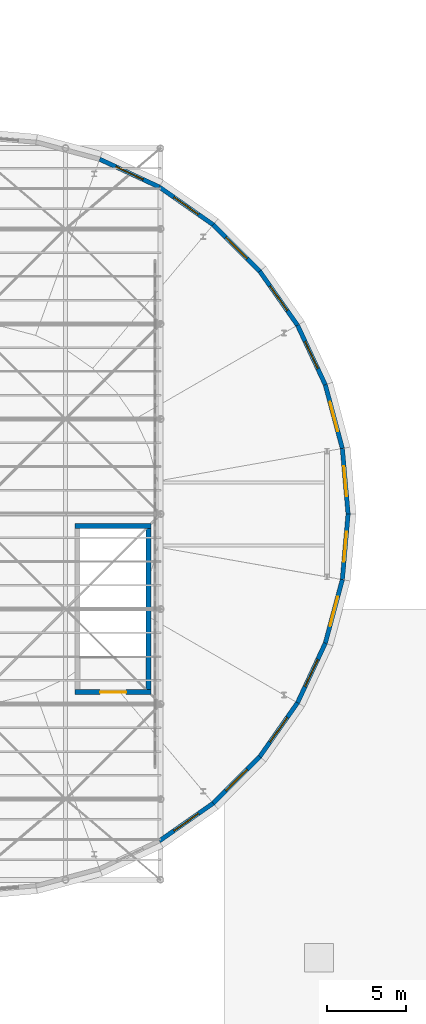
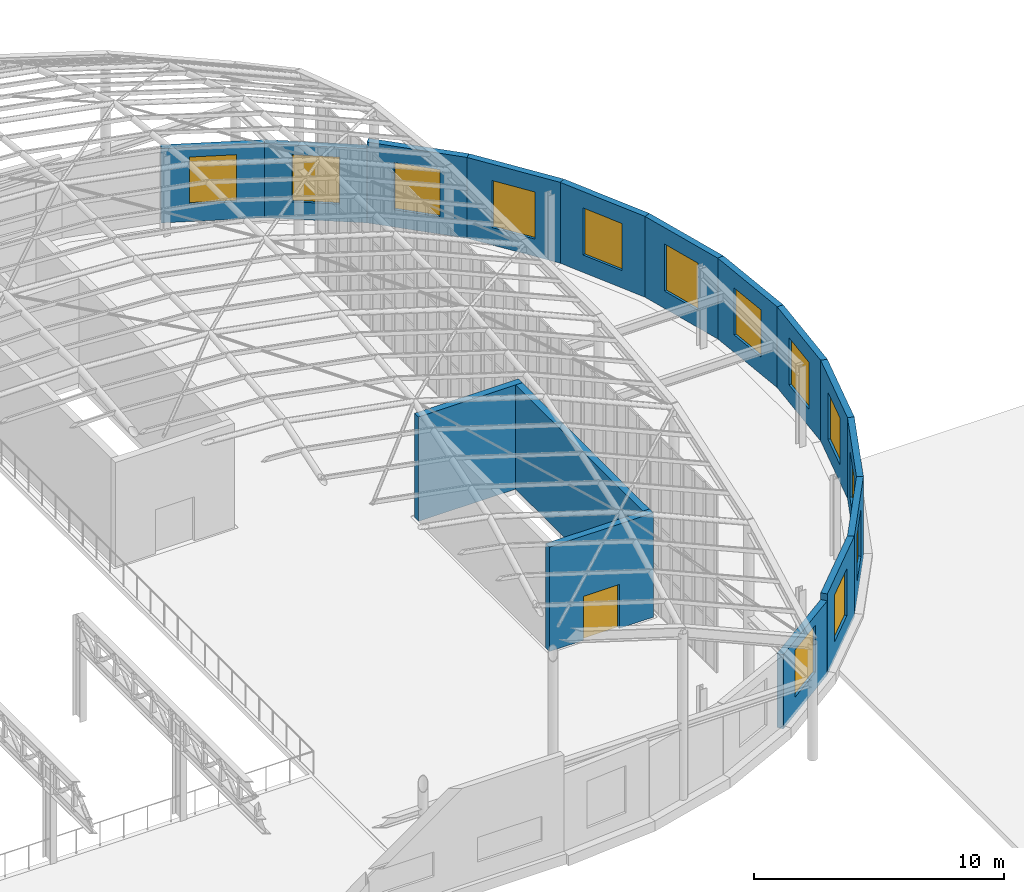
# One storey, part 67 of 75: 16 walls, 13 windows, 1 door, 14 openings.
"""IFC4 building model written with IfcOpenShell, lengths in metres."""

from ifc_helpers import new_model, si_unit, direction, frame, frame_2d, origin, place, context, subcontext, project, spatial, rectangle, extrude, material, layer, layer_set, type_object, element, fill, save


model = new_model("IFC4")

# Units and contexts
model_context = context("Model", 3, precision=1e-05, world=origin(), true_north=direction((0.0, 1.0)))
body_context = subcontext(model_context, "Body", "Model", "MODEL_VIEW")
ifc_project = project(units=[si_unit("LENGTHUNIT", "METRE"), si_unit("AREAUNIT", "SQUARE_METRE"), si_unit("VOLUMEUNIT", "CUBIC_METRE"), si_unit("PLANEANGLEUNIT", "RADIAN"), si_unit("MASSUNIT", "GRAM", prefix="KILO")], contexts=[model_context])

# Site, building, storey
site_placement = place(None, origin())
site = spatial("IfcSite", under=ifc_project, at=site_placement, CompositionType="ELEMENT")
building_placement = place(site_placement, origin())
building = spatial("IfcBuilding", under=site, at=building_placement, Name="Kolvaren Corner Interchange", CompositionType="ELEMENT")
storey_placement = place(building_placement, frame((0.0, 0.0, 10.5)))
storey = spatial("IfcBuildingStorey", under=building, at=storey_placement, Name="L03", CompositionType="ELEMENT", Elevation=10.5)

# Wall, opening, door
ifc_material_1 = material(Name="Concrete C35/45", Category="concrete")
ifc_layer_1 = layer(ifc_material_1, 0.31005859375)
ifc_layer_set_1 = layer_set([ifc_layer_1], Name="Concrete C35/45")
wall_type_1 = type_object("IfcWallType", Name="WL-STAIR-300", PredefinedType="SHEAR", material=ifc_layer_set_1)
wall_1_placement = place(storey_placement, frame((126.60009765625, 36.7548828125, 0.0), z_axis=(0.0, 0.0, 1.0), x_axis=(1.0, 0.0, 0.0)))
wall_1 = element("IfcWall", 1, at=wall_1_placement, inside=storey, type_object=wall_type_1, Name="East Racetrack Concourse Gallery Stair L03 South Enclosure Wall", PredefinedType="SHEAR", context=body_context, shape_type="SweptSolid", body=[
    extrude(rectangle(XDim=4.7998046875, YDim=0.31005859375, at=frame_2d((2.39990234375, 0.0))), origin(), (0.0, 0.0, 1.0), 5.10009765625),
])
opening_1_placement = place(wall_1_placement, frame((1.574951171875, 0.0, 0.0)))
opening_1 = element("IfcOpeningElement", 2, at=opening_1_placement, cuts=wall_1, Name="Opening D-F06", PredefinedType="OPENING", context=body_context, shape_type="SweptSolid", body=[
    extrude(rectangle(XDim=1.64990234375, YDim=2.14990234375, at=frame_2d((0.824951171875, 1.074951171875))), frame((0.0, 0.1650390625, 0.0), z_axis=(0.0, -1.0, 0.0), x_axis=(1.0, 0.0, 0.0)), (0.0, 0.0, 1.0), 0.330078125),
])
ifc_material_2 = material(Name="Powder-coated Fire-rated Steel Sheet", Category="steel")
door_type = type_object("IfcDoorType", Name="DT-FD-1650x2150", OperationType="NOTDEFINED", PredefinedType="DOOR", material=ifc_material_2)
door_placement = place(opening_1_placement, origin())
door = element("IfcDoor", 3, at=door_placement, inside=storey, type_object=door_type, Name="East Racetrack Concourse Gallery Stair L03 Protected Exit Door", OperationType="DOUBLE_DOOR_SINGLE_SWING", OverallHeight=2.14990234375, OverallWidth=1.64990234375, PredefinedType="DOOR", context=body_context, shape_type="SweptSolid", body=[
    extrude(rectangle(XDim=1.64990234375, YDim=2.14990234375, at=frame_2d((0.824951171875, 1.074951171875))), frame((0.0, 0.02490234375, 0.0), z_axis=(0.0, -1.0, 0.0), x_axis=(1.0, 0.0, 0.0)), (0.0, 0.0, 1.0), 0.050048828125),
])
fill(opening_1, door)

# Walls
wall_2_placement = place(storey_placement, frame((126.60009765625, 47.2451171875, 0.0), z_axis=(0.0, 0.0, 1.0), x_axis=(1.0, 0.0, 0.0)))
element("IfcWall", 4, at=wall_2_placement, inside=storey, type_object=wall_type_1, Name="East Racetrack Concourse Gallery Stair L03 North Enclosure Wall", PredefinedType="SHEAR", context=body_context, shape_type="SweptSolid", body=[
    extrude(rectangle(XDim=4.7998046875, YDim=0.31005859375, at=frame_2d((2.39990234375, 0.0))), origin(), (0.0, 0.0, 1.0), 5.10009765625),
])
wall_3_placement = place(storey_placement, frame((131.2451171875, 36.909912109375, 0.0), z_axis=(0.0, 0.0, 1.0), x_axis=(0.0, 1.0, 0.0)))
element("IfcWall", 5, at=wall_3_placement, inside=storey, type_object=wall_type_1, Name="East Racetrack Concourse Gallery Stair L03 East Enclosure Wall", PredefinedType="SHEAR", context=body_context, shape_type="SweptSolid", body=[
    extrude(rectangle(XDim=10.18017578125, YDim=0.31005859375, at=frame_2d((5.090087890625, 0.0))), origin(), (0.0, 0.0, 1.0), 5.10009765625),
])

# Wall, opening, window
ifc_material_3 = material(Name="White Glazed Ceramic Terracotta Band Assembly", Category="masonry")
ifc_layer_2 = layer(ifc_material_3, 0.280029296875)
ifc_layer_set_2 = layer_set([ifc_layer_2], Name="White Glazed Ceramic Terracotta Band Assembly")
wall_type_2 = type_object("IfcWallType", Name="WT-EXT-WHT280", PredefinedType="SOLIDWALL", material=ifc_layer_set_2)
wall_4_placement = place(storey_placement, frame((131.919921875, 27.35400390625, 0.0), z_axis=(0.0, 0.0, 1.0), x_axis=(0.819171197327, 0.573549082007, 0.0)))
wall_4 = element("IfcWall", 6, at=wall_4_placement, inside=storey, type_object=wall_type_2, Name="Racetrack East Curved Drum Chord 04 Wall 0134", PredefinedType="SOLIDWALL", context=body_context, shape_type="SweptSolid", body=[
    extrude(rectangle(XDim=4.15576171875, YDim=0.280029296875, at=frame_2d((2.077880859375, 0.0))), origin(), (0.0, 0.0, 1.0), 3.625),
])
opening_2_placement = place(wall_4_placement, frame((1.127685546875, 0.0, 0.85009765625)))
opening_2 = element("IfcOpeningElement", 7, at=opening_2_placement, cuts=wall_4, Name="Opening W-05", PredefinedType="OPENING", context=body_context, shape_type="SweptSolid", body=[
    extrude(rectangle(XDim=1.89990234375, YDim=2.300048828125, at=frame_2d((0.949951171875, 1.14990234375))), frame((0.0, 0.14990234375, 0.0), z_axis=(0.0, -1.0, 0.0), x_axis=(1.0, 0.0, 0.0)), (0.0, 0.0, 1.0), 0.300048828125),
])
ifc_material_4 = material(Name="Thermally Broken Aluminium and Solar-Control Double Glazing", Category="aluminium")
window_type = type_object("IfcWindowType", Name="WT-ARC-1900x2300", PartitioningType="DOUBLE_PANEL_VERTICAL", PredefinedType="WINDOW", material=ifc_material_4)
window_1_placement = place(opening_2_placement, origin())
window_1 = element("IfcWindow", 8, at=window_1_placement, inside=storey, type_object=window_type, Name="L03 Racetrack East Curved Drum Chord 04 Window 0198", OverallHeight=2.300048828125, OverallWidth=1.89990234375, PartitioningType="SINGLE_PANEL", PredefinedType="WINDOW", context=body_context, shape_type="SweptSolid", body=[
    extrude(rectangle(XDim=1.89990234375, YDim=2.300048828125, at=frame_2d((0.949951171875, 1.14990234375))), frame((0.0, 0.030029296875, 0.0), z_axis=(0.0, -1.0, 0.0), x_axis=(1.0, 0.0, 0.0)), (0.0, 0.0, 1.0), 0.06005859375),
])
fill(opening_2, window_1)

wall_5_placement = place(storey_placement, frame((135.32421875, 29.737548828125, 0.0), z_axis=(0.0, 0.0, 1.0), x_axis=(0.707106781187, 0.707106781187, 0.0)))
wall_5 = element("IfcWall", 9, at=wall_5_placement, inside=storey, type_object=wall_type_2, Name="Racetrack East Curved Drum Chord 05 Wall 0135", PredefinedType="SOLIDWALL", context=body_context, shape_type="SweptSolid", body=[
    extrude(rectangle(XDim=4.1552734375, YDim=0.280029296875, at=frame_2d((2.07763671875, 0.0))), origin(), (0.0, 0.0, 1.0), 3.949951171875),
])
opening_3_placement = place(wall_5_placement, frame((1.127685546875, 0.0, 0.85009765625)))
opening_3 = element("IfcOpeningElement", 10, at=opening_3_placement, cuts=wall_5, Name="Opening W-05", PredefinedType="OPENING", context=body_context, shape_type="SweptSolid", body=[
    extrude(rectangle(XDim=1.89990234375, YDim=2.300048828125, at=frame_2d((0.949951171875, 1.14990234375))), frame((0.0, 0.14990234375, 0.0), z_axis=(0.0, -1.0, 0.0), x_axis=(1.0, 0.0, 0.0)), (0.0, 0.0, 1.0), 0.300048828125),
])
window_2_placement = place(opening_3_placement, origin())
window_2 = element("IfcWindow", 11, at=window_2_placement, inside=storey, type_object=window_type, Name="L03 Racetrack East Curved Drum Chord 05 Window 0199", OverallHeight=2.300048828125, OverallWidth=1.89990234375, PartitioningType="SINGLE_PANEL", PredefinedType="WINDOW", context=body_context, shape_type="SweptSolid", body=[
    extrude(rectangle(XDim=1.89990234375, YDim=2.300048828125, at=frame_2d((0.949951171875, 1.14990234375))), frame((0.0, 0.030029296875, 0.0), z_axis=(0.0, -1.0, 0.0), x_axis=(1.0, 0.0, 0.0)), (0.0, 0.0, 1.0), 0.06005859375),
])
fill(opening_3, window_2)

wall_6_placement = place(storey_placement, frame((138.262451171875, 32.67578125, 0.0), z_axis=(0.0, 0.0, 1.0), x_axis=(0.573549082007, 0.819171197327, 0.0)))
wall_6 = element("IfcWall", 12, at=wall_6_placement, inside=storey, type_object=wall_type_2, Name="Racetrack East Curved Drum Chord 06 Wall 0136", PredefinedType="SOLIDWALL", context=body_context, shape_type="SweptSolid", body=[
    extrude(rectangle(XDim=4.15576171875, YDim=0.280029296875, at=frame_2d((2.077880859375, 0.0))), origin(), (0.0, 0.0, 1.0), 3.949951171875),
])
opening_4_placement = place(wall_6_placement, frame((1.127685546875, 0.0, 0.85009765625)))
opening_4 = element("IfcOpeningElement", 13, at=opening_4_placement, cuts=wall_6, Name="Opening W-05", PredefinedType="OPENING", context=body_context, shape_type="SweptSolid", body=[
    extrude(rectangle(XDim=1.89990234375, YDim=2.300048828125, at=frame_2d((0.949951171875, 1.14990234375))), frame((0.0, 0.14990234375, 0.0), z_axis=(0.0, -1.0, 0.0), x_axis=(1.0, 0.0, 0.0)), (0.0, 0.0, 1.0), 0.300048828125),
])
window_3_placement = place(opening_4_placement, origin())
window_3 = element("IfcWindow", 14, at=window_3_placement, inside=storey, type_object=window_type, Name="L03 Racetrack East Curved Drum Chord 06 Window 0200", OverallHeight=2.300048828125, OverallWidth=1.89990234375, PartitioningType="SINGLE_PANEL", PredefinedType="WINDOW", context=body_context, shape_type="SweptSolid", body=[
    extrude(rectangle(XDim=1.89990234375, YDim=2.300048828125, at=frame_2d((0.949951171875, 1.14990234375))), frame((0.0, 0.030029296875, 0.0), z_axis=(0.0, -1.0, 0.0), x_axis=(1.0, 0.0, 0.0)), (0.0, 0.0, 1.0), 0.06005859375),
])
fill(opening_4, window_3)

wall_7_placement = place(storey_placement, frame((140.64599609375, 36.080078125, 0.0), z_axis=(0.0, 0.0, 1.0), x_axis=(0.422653878685, 0.906291177731, 0.0)))
wall_7 = element("IfcWall", 15, at=wall_7_placement, inside=storey, type_object=wall_type_2, Name="Racetrack East Curved Drum Chord 07 Wall 0137", PredefinedType="SOLIDWALL", context=body_context, shape_type="SweptSolid", body=[
    extrude(rectangle(XDim=4.155517578125, YDim=0.280029296875, at=frame_2d((2.07763671875, 0.0))), origin(), (0.0, 0.0, 1.0), 3.949951171875),
])
opening_5_placement = place(wall_7_placement, frame((1.127685546875, 0.0, 0.85009765625)))
opening_5 = element("IfcOpeningElement", 16, at=opening_5_placement, cuts=wall_7, Name="Opening W-05", PredefinedType="OPENING", context=body_context, shape_type="SweptSolid", body=[
    extrude(rectangle(XDim=1.89990234375, YDim=2.300048828125, at=frame_2d((0.949951171875, 1.14990234375))), frame((0.0, 0.14990234375, 0.0), z_axis=(0.0, -1.0, 0.0), x_axis=(1.0, 0.0, 0.0)), (0.0, 0.0, 1.0), 0.300048828125),
])
window_4_placement = place(opening_5_placement, origin())
window_4 = element("IfcWindow", 17, at=window_4_placement, inside=storey, type_object=window_type, Name="L03 Racetrack East Curved Drum Chord 07 Window 0201", OverallHeight=2.300048828125, OverallWidth=1.89990234375, PartitioningType="SINGLE_PANEL", PredefinedType="WINDOW", context=body_context, shape_type="SweptSolid", body=[
    extrude(rectangle(XDim=1.89990234375, YDim=2.300048828125, at=frame_2d((0.949951171875, 1.14990234375))), frame((0.0, 0.030029296875, 0.0), z_axis=(0.0, -1.0, 0.0), x_axis=(1.0, 0.0, 0.0)), (0.0, 0.0, 1.0), 0.06005859375),
])
fill(opening_5, window_4)

wall_8_placement = place(storey_placement, frame((142.40234375, 39.84619140625, 0.0), z_axis=(0.0, 0.0, 1.0), x_axis=(0.258799713026, 0.965931006096, 0.0)))
wall_8 = element("IfcWall", 18, at=wall_8_placement, inside=storey, type_object=wall_type_2, Name="Racetrack East Curved Drum Chord 08 Wall 0138", PredefinedType="SOLIDWALL", context=body_context, shape_type="SweptSolid", body=[
    extrude(rectangle(XDim=4.155517578125, YDim=0.280029296875, at=frame_2d((2.07763671875, 0.0))), origin(), (0.0, 0.0, 1.0), 3.949951171875),
])
opening_6_placement = place(wall_8_placement, frame((1.127685546875, 0.0, 0.85009765625)))
opening_6 = element("IfcOpeningElement", 19, at=opening_6_placement, cuts=wall_8, Name="Opening W-05", PredefinedType="OPENING", context=body_context, shape_type="SweptSolid", body=[
    extrude(rectangle(XDim=1.89990234375, YDim=2.300048828125, at=frame_2d((0.949951171875, 1.14990234375))), frame((0.0, 0.14990234375, 0.0), z_axis=(0.0, -1.0, 0.0), x_axis=(1.0, 0.0, 0.0)), (0.0, 0.0, 1.0), 0.300048828125),
])
window_5_placement = place(opening_6_placement, origin())
window_5 = element("IfcWindow", 20, at=window_5_placement, inside=storey, type_object=window_type, Name="L03 Racetrack East Curved Drum Chord 08 Window 0202", OverallHeight=2.300048828125, OverallWidth=1.89990234375, PartitioningType="SINGLE_PANEL", PredefinedType="WINDOW", context=body_context, shape_type="SweptSolid", body=[
    extrude(rectangle(XDim=1.89990234375, YDim=2.300048828125, at=frame_2d((0.949951171875, 1.14990234375))), frame((0.0, 0.030029296875, 0.0), z_axis=(0.0, -1.0, 0.0), x_axis=(1.0, 0.0, 0.0)), (0.0, 0.0, 1.0), 0.06005859375),
])
fill(opening_6, window_5)

wall_9_placement = place(storey_placement, frame((143.477783203125, 43.860107421875, 0.0), z_axis=(0.0, 0.0, 1.0), x_axis=(0.087182254487, 0.99619237826, 0.0)))
wall_9 = element("IfcWall", 21, at=wall_9_placement, inside=storey, type_object=wall_type_2, Name="Racetrack East Curved Drum Chord 09 Wall 0139", PredefinedType="SOLIDWALL", context=body_context, shape_type="SweptSolid", body=[
    extrude(rectangle(XDim=4.15576171875, YDim=0.280029296875, at=frame_2d((2.077880859375, 0.0))), origin(), (0.0, 0.0, 1.0), 3.949951171875),
])
opening_7_placement = place(wall_9_placement, frame((1.127685546875, 0.0, 0.85009765625)))
opening_7 = element("IfcOpeningElement", 22, at=opening_7_placement, cuts=wall_9, Name="Opening W-05", PredefinedType="OPENING", context=body_context, shape_type="SweptSolid", body=[
    extrude(rectangle(XDim=1.89990234375, YDim=2.300048828125, at=frame_2d((0.949951171875, 1.14990234375))), frame((0.0, 0.14990234375, 0.0), z_axis=(0.0, -1.0, 0.0), x_axis=(1.0, 0.0, 0.0)), (0.0, 0.0, 1.0), 0.300048828125),
])
window_6_placement = place(opening_7_placement, origin())
window_6 = element("IfcWindow", 23, at=window_6_placement, inside=storey, type_object=window_type, Name="L03 Racetrack East Curved Drum Chord 09 Window 0203", OverallHeight=2.300048828125, OverallWidth=1.89990234375, PartitioningType="SINGLE_PANEL", PredefinedType="WINDOW", context=body_context, shape_type="SweptSolid", body=[
    extrude(rectangle(XDim=1.89990234375, YDim=2.300048828125, at=frame_2d((0.949951171875, 1.14990234375))), frame((0.0, 0.030029296875, 0.0), z_axis=(0.0, -1.0, 0.0), x_axis=(1.0, 0.0, 0.0)), (0.0, 0.0, 1.0), 0.06005859375),
])
fill(opening_7, window_6)

wall_10_placement = place(storey_placement, frame((143.840087890625, 48.0, 0.0), z_axis=(0.0, 0.0, 1.0), x_axis=(-0.087182254487, 0.99619237826, 0.0)))
wall_10 = element("IfcWall", 24, at=wall_10_placement, inside=storey, type_object=wall_type_2, Name="Racetrack East Curved Drum Chord 10 Wall 0140", PredefinedType="SOLIDWALL", context=body_context, shape_type="SweptSolid", body=[
    extrude(rectangle(XDim=4.15576171875, YDim=0.280029296875, at=frame_2d((2.077880859375, 0.0))), origin(), (0.0, 0.0, 1.0), 3.949951171875),
])
opening_8_placement = place(wall_10_placement, frame((1.127685546875, 0.0, 0.85009765625)))
opening_8 = element("IfcOpeningElement", 25, at=opening_8_placement, cuts=wall_10, Name="Opening W-05", PredefinedType="OPENING", context=body_context, shape_type="SweptSolid", body=[
    extrude(rectangle(XDim=1.89990234375, YDim=2.300048828125, at=frame_2d((0.949951171875, 1.14990234375))), frame((0.0, 0.14990234375, 0.0), z_axis=(0.0, -1.0, 0.0), x_axis=(1.0, 0.0, 0.0)), (0.0, 0.0, 1.0), 0.300048828125),
])
window_7_placement = place(opening_8_placement, origin())
window_7 = element("IfcWindow", 26, at=window_7_placement, inside=storey, type_object=window_type, Name="L03 Racetrack East Curved Drum Chord 10 Window 0204", OverallHeight=2.300048828125, OverallWidth=1.89990234375, PartitioningType="SINGLE_PANEL", PredefinedType="WINDOW", context=body_context, shape_type="SweptSolid", body=[
    extrude(rectangle(XDim=1.89990234375, YDim=2.300048828125, at=frame_2d((0.949951171875, 1.14990234375))), frame((0.0, 0.030029296875, 0.0), z_axis=(0.0, -1.0, 0.0), x_axis=(1.0, 0.0, 0.0)), (0.0, 0.0, 1.0), 0.06005859375),
])
fill(opening_8, window_7)

wall_11_placement = place(storey_placement, frame((143.477783203125, 52.139892578125, 0.0), z_axis=(0.0, 0.0, 1.0), x_axis=(-0.258799713026, 0.965931006096, 0.0)))
wall_11 = element("IfcWall", 27, at=wall_11_placement, inside=storey, type_object=wall_type_2, Name="Racetrack East Curved Drum Chord 11 Wall 0141", PredefinedType="SOLIDWALL", context=body_context, shape_type="SweptSolid", body=[
    extrude(rectangle(XDim=4.155517578125, YDim=0.280029296875, at=frame_2d((2.07763671875, 0.0))), origin(), (0.0, 0.0, 1.0), 3.949951171875),
])
opening_9_placement = place(wall_11_placement, frame((1.127685546875, 0.0, 0.85009765625)))
opening_9 = element("IfcOpeningElement", 28, at=opening_9_placement, cuts=wall_11, Name="Opening W-05", PredefinedType="OPENING", context=body_context, shape_type="SweptSolid", body=[
    extrude(rectangle(XDim=1.89990234375, YDim=2.300048828125, at=frame_2d((0.949951171875, 1.14990234375))), frame((0.0, 0.14990234375, 0.0), z_axis=(0.0, -1.0, 0.0), x_axis=(1.0, 0.0, 0.0)), (0.0, 0.0, 1.0), 0.300048828125),
])
window_8_placement = place(opening_9_placement, origin())
window_8 = element("IfcWindow", 29, at=window_8_placement, inside=storey, type_object=window_type, Name="L03 Racetrack East Curved Drum Chord 11 Window 0205", OverallHeight=2.300048828125, OverallWidth=1.89990234375, PartitioningType="SINGLE_PANEL", PredefinedType="WINDOW", context=body_context, shape_type="SweptSolid", body=[
    extrude(rectangle(XDim=1.89990234375, YDim=2.300048828125, at=frame_2d((0.949951171875, 1.14990234375))), frame((0.0, 0.030029296875, 0.0), z_axis=(0.0, -1.0, 0.0), x_axis=(1.0, 0.0, 0.0)), (0.0, 0.0, 1.0), 0.06005859375),
])
fill(opening_9, window_8)

wall_12_placement = place(storey_placement, frame((142.40234375, 56.15380859375, 0.0), z_axis=(0.0, 0.0, 1.0), x_axis=(-0.422653878685, 0.906291177731, 0.0)))
wall_12 = element("IfcWall", 30, at=wall_12_placement, inside=storey, type_object=wall_type_2, Name="Racetrack East Curved Drum Chord 12 Wall 0142", PredefinedType="SOLIDWALL", context=body_context, shape_type="SweptSolid", body=[
    extrude(rectangle(XDim=4.155517578125, YDim=0.280029296875, at=frame_2d((2.07763671875, 0.0))), origin(), (0.0, 0.0, 1.0), 3.949951171875),
])
opening_10_placement = place(wall_12_placement, frame((1.127685546875, 0.0, 0.85009765625)))
opening_10 = element("IfcOpeningElement", 31, at=opening_10_placement, cuts=wall_12, Name="Opening W-05", PredefinedType="OPENING", context=body_context, shape_type="SweptSolid", body=[
    extrude(rectangle(XDim=1.89990234375, YDim=2.300048828125, at=frame_2d((0.949951171875, 1.14990234375))), frame((0.0, 0.14990234375, 0.0), z_axis=(0.0, -1.0, 0.0), x_axis=(1.0, 0.0, 0.0)), (0.0, 0.0, 1.0), 0.300048828125),
])
window_9_placement = place(opening_10_placement, origin())
window_9 = element("IfcWindow", 32, at=window_9_placement, inside=storey, type_object=window_type, Name="L03 Racetrack East Curved Drum Chord 12 Window 0206", OverallHeight=2.300048828125, OverallWidth=1.89990234375, PartitioningType="SINGLE_PANEL", PredefinedType="WINDOW", context=body_context, shape_type="SweptSolid", body=[
    extrude(rectangle(XDim=1.89990234375, YDim=2.300048828125, at=frame_2d((0.949951171875, 1.14990234375))), frame((0.0, 0.030029296875, 0.0), z_axis=(0.0, -1.0, 0.0), x_axis=(1.0, 0.0, 0.0)), (0.0, 0.0, 1.0), 0.06005859375),
])
fill(opening_10, window_9)

wall_13_placement = place(storey_placement, frame((140.64599609375, 59.919921875, 0.0), z_axis=(0.0, 0.0, 1.0), x_axis=(-0.573549082007, 0.819171197327, 0.0)))
wall_13 = element("IfcWall", 33, at=wall_13_placement, inside=storey, type_object=wall_type_2, Name="Racetrack East Curved Drum Chord 13 Wall 0143", PredefinedType="SOLIDWALL", context=body_context, shape_type="SweptSolid", body=[
    extrude(rectangle(XDim=4.15576171875, YDim=0.280029296875, at=frame_2d((2.077880859375, 0.0))), origin(), (0.0, 0.0, 1.0), 3.949951171875),
])
opening_11_placement = place(wall_13_placement, frame((1.127685546875, 0.0, 0.85009765625)))
opening_11 = element("IfcOpeningElement", 34, at=opening_11_placement, cuts=wall_13, Name="Opening W-05", PredefinedType="OPENING", context=body_context, shape_type="SweptSolid", body=[
    extrude(rectangle(XDim=1.89990234375, YDim=2.300048828125, at=frame_2d((0.949951171875, 1.14990234375))), frame((0.0, 0.14990234375, 0.0), z_axis=(0.0, -1.0, 0.0), x_axis=(1.0, 0.0, 0.0)), (0.0, 0.0, 1.0), 0.300048828125),
])
window_10_placement = place(opening_11_placement, origin())
window_10 = element("IfcWindow", 35, at=window_10_placement, inside=storey, type_object=window_type, Name="L03 Racetrack East Curved Drum Chord 13 Window 0207", OverallHeight=2.300048828125, OverallWidth=1.89990234375, PartitioningType="SINGLE_PANEL", PredefinedType="WINDOW", context=body_context, shape_type="SweptSolid", body=[
    extrude(rectangle(XDim=1.89990234375, YDim=2.300048828125, at=frame_2d((0.949951171875, 1.14990234375))), frame((0.0, 0.030029296875, 0.0), z_axis=(0.0, -1.0, 0.0), x_axis=(1.0, 0.0, 0.0)), (0.0, 0.0, 1.0), 0.06005859375),
])
fill(opening_11, window_10)

wall_14_placement = place(storey_placement, frame((138.262451171875, 63.32421875, 0.0), z_axis=(0.0, 0.0, 1.0), x_axis=(-0.707106781187, 0.707106781187, 0.0)))
wall_14 = element("IfcWall", 36, at=wall_14_placement, inside=storey, type_object=wall_type_2, Name="Racetrack East Curved Drum Chord 14 Wall 0144", PredefinedType="SOLIDWALL", context=body_context, shape_type="SweptSolid", body=[
    extrude(rectangle(XDim=4.1552734375, YDim=0.280029296875, at=frame_2d((2.07763671875, 0.0))), origin(), (0.0, 0.0, 1.0), 3.949951171875),
])
opening_12_placement = place(wall_14_placement, frame((1.127685546875, 0.0, 0.85009765625)))
opening_12 = element("IfcOpeningElement", 37, at=opening_12_placement, cuts=wall_14, Name="Opening W-05", PredefinedType="OPENING", context=body_context, shape_type="SweptSolid", body=[
    extrude(rectangle(XDim=1.89990234375, YDim=2.300048828125, at=frame_2d((0.949951171875, 1.14990234375))), frame((0.0, 0.14990234375, 0.0), z_axis=(0.0, -1.0, 0.0), x_axis=(1.0, 0.0, 0.0)), (0.0, 0.0, 1.0), 0.300048828125),
])
window_11_placement = place(opening_12_placement, origin())
window_11 = element("IfcWindow", 38, at=window_11_placement, inside=storey, type_object=window_type, Name="L03 Racetrack East Curved Drum Chord 14 Window 0208", OverallHeight=2.300048828125, OverallWidth=1.89990234375, PartitioningType="SINGLE_PANEL", PredefinedType="WINDOW", context=body_context, shape_type="SweptSolid", body=[
    extrude(rectangle(XDim=1.89990234375, YDim=2.300048828125, at=frame_2d((0.949951171875, 1.14990234375))), frame((0.0, 0.030029296875, 0.0), z_axis=(0.0, -1.0, 0.0), x_axis=(1.0, 0.0, 0.0)), (0.0, 0.0, 1.0), 0.06005859375),
])
fill(opening_12, window_11)

wall_15_placement = place(storey_placement, frame((135.32421875, 66.262451171875, 0.0), z_axis=(0.0, 0.0, 1.0), x_axis=(-0.819171197327, 0.573549082007, 0.0)))
wall_15 = element("IfcWall", 39, at=wall_15_placement, inside=storey, type_object=wall_type_2, Name="Racetrack East Curved Drum Chord 15 Wall 0145", PredefinedType="SOLIDWALL", context=body_context, shape_type="SweptSolid", body=[
    extrude(rectangle(XDim=4.15576171875, YDim=0.280029296875, at=frame_2d((2.077880859375, 0.0))), origin(), (0.0, 0.0, 1.0), 3.625),
])
opening_13_placement = place(wall_15_placement, frame((1.127685546875, 0.0, 0.85009765625)))
opening_13 = element("IfcOpeningElement", 40, at=opening_13_placement, cuts=wall_15, Name="Opening W-05", PredefinedType="OPENING", context=body_context, shape_type="SweptSolid", body=[
    extrude(rectangle(XDim=1.89990234375, YDim=2.300048828125, at=frame_2d((0.949951171875, 1.14990234375))), frame((0.0, 0.14990234375, 0.0), z_axis=(0.0, -1.0, 0.0), x_axis=(1.0, 0.0, 0.0)), (0.0, 0.0, 1.0), 0.300048828125),
])
window_12_placement = place(opening_13_placement, origin())
window_12 = element("IfcWindow", 41, at=window_12_placement, inside=storey, type_object=window_type, Name="L03 Racetrack East Curved Drum Chord 15 Window 0209", OverallHeight=2.300048828125, OverallWidth=1.89990234375, PartitioningType="SINGLE_PANEL", PredefinedType="WINDOW", context=body_context, shape_type="SweptSolid", body=[
    extrude(rectangle(XDim=1.89990234375, YDim=2.300048828125, at=frame_2d((0.949951171875, 1.14990234375))), frame((0.0, 0.030029296875, 0.0), z_axis=(0.0, -1.0, 0.0), x_axis=(1.0, 0.0, 0.0)), (0.0, 0.0, 1.0), 0.06005859375),
])
fill(opening_13, window_12)

wall_16_placement = place(storey_placement, frame((131.919921875, 68.64599609375, 0.0), z_axis=(0.0, 0.0, 1.0), x_axis=(-0.906291177731, 0.422653878685, 0.0)))
wall_16 = element("IfcWall", 42, at=wall_16_placement, inside=storey, type_object=wall_type_2, Name="Racetrack East Curved Drum Chord 16 Wall 0146", PredefinedType="SOLIDWALL", context=body_context, shape_type="SweptSolid", body=[
    extrude(rectangle(XDim=4.155517578125, YDim=0.280029296875, at=frame_2d((2.07763671875, 0.0))), origin(), (0.0, 0.0, 1.0), 3.625),
])
opening_14_placement = place(wall_16_placement, frame((1.127685546875, 0.0, 0.85009765625)))
opening_14 = element("IfcOpeningElement", 43, at=opening_14_placement, cuts=wall_16, Name="Opening W-05", PredefinedType="OPENING", context=body_context, shape_type="SweptSolid", body=[
    extrude(rectangle(XDim=1.89990234375, YDim=2.300048828125, at=frame_2d((0.949951171875, 1.14990234375))), frame((0.0, 0.14990234375, 0.0), z_axis=(0.0, -1.0, 0.0), x_axis=(1.0, 0.0, 0.0)), (0.0, 0.0, 1.0), 0.300048828125),
])
window_13_placement = place(opening_14_placement, origin())
window_13 = element("IfcWindow", 44, at=window_13_placement, inside=storey, type_object=window_type, Name="L03 Racetrack East Curved Drum Chord 16 Window 0210", OverallHeight=2.300048828125, OverallWidth=1.89990234375, PartitioningType="SINGLE_PANEL", PredefinedType="WINDOW", context=body_context, shape_type="SweptSolid", body=[
    extrude(rectangle(XDim=1.89990234375, YDim=2.300048828125, at=frame_2d((0.949951171875, 1.14990234375))), frame((0.0, 0.030029296875, 0.0), z_axis=(0.0, -1.0, 0.0), x_axis=(1.0, 0.0, 0.0)), (0.0, 0.0, 1.0), 0.06005859375),
])
fill(opening_14, window_13)

save(model, "model.ifc")
